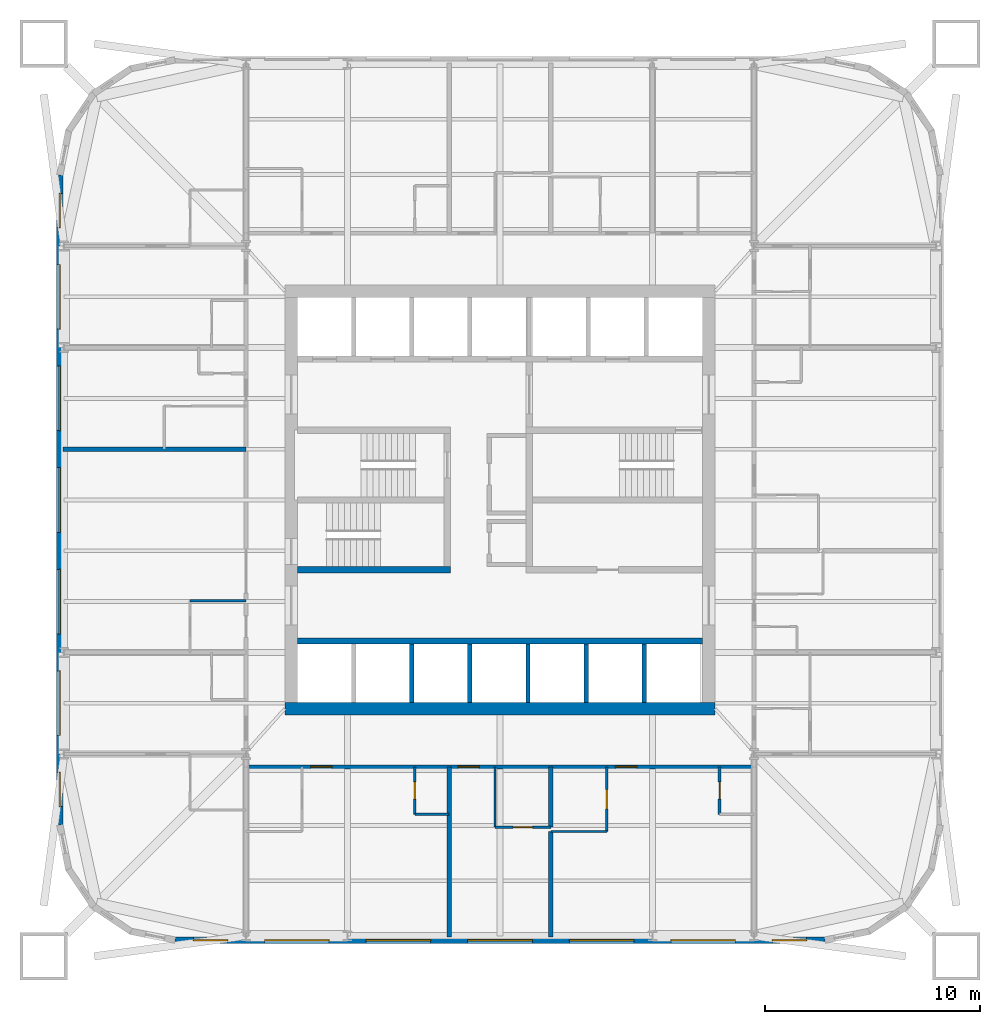
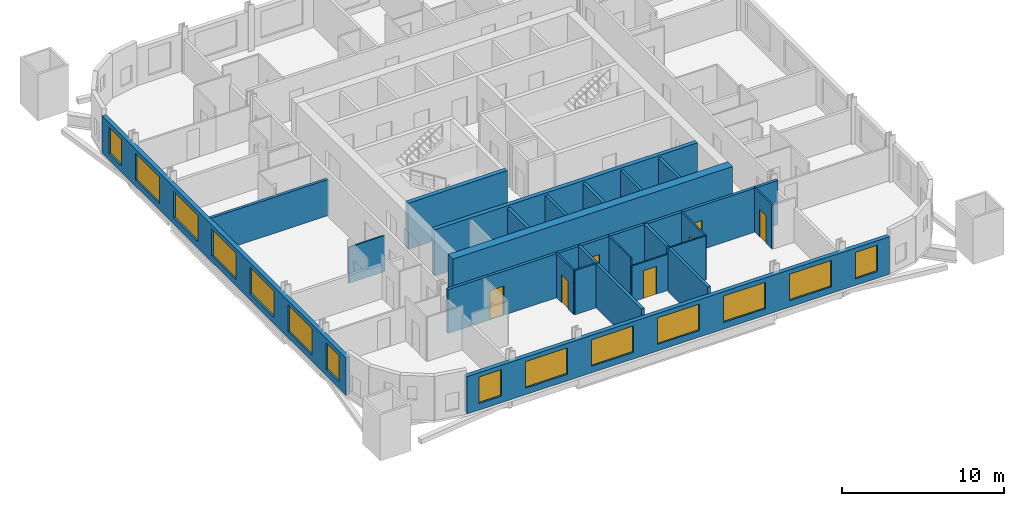
# One storey, part 3 of 9: 23 walls, 14 windows, 7 doors, 21 openings.
"""IFC4 building model written with IfcOpenShell, lengths in metres."""

import ifcopenshell
import ifcopenshell.guid

model = None  # the IFC model being written
_history = None  # IfcOwnerHistory: only IFC2X3 demands one
_inside = {}  # id of a spatial element -> (the spatial element, [elements in it])
_under = {}  # id of a project, library or spatial element -> (it, [spatial elements below it])
_declared = {}  # id of a project -> (the project, [libraries it declares])
_typed = {}  # id of a type object -> (the type object, [elements of that type])
_made_of = {}  # id of a material, layer set ... -> (it, [elements and type objects made of it])


def new_model(schema):
    """Start an empty IFC model of exactly this schema.

    Asked for "IFC4X3", IfcOpenShell would pick the latest addendum, in which some entities
    have other attributes; the version numbers below select the first issue.
    IFC2X3 requires an IfcOwnerHistory on every rooted entity: one is made here for all.
    """
    global model, _history
    if schema == "IFC4X3":
        model = ifcopenshell.file(schema_version=(4, 3, 0, 0))
    else:
        model = ifcopenshell.file(schema=schema)
    _inside.clear()
    _under.clear()
    _declared.clear()
    _typed.clear()
    _made_of.clear()
    _history = None
    if model.schema == "IFC2X3":
        org = make("IfcOrganization", Name="unknown")
        user = make(
            "IfcPersonAndOrganization",
            ThePerson=make("IfcPerson", FamilyName="unknown"),
            TheOrganization=org,
        )
        app = make(
            "IfcApplication",
            ApplicationDeveloper=org,
            Version="unknown",
            ApplicationFullName="unknown",
            ApplicationIdentifier="unknown",
        )
        _history = make(
            "IfcOwnerHistory",
            OwningUser=user,
            OwningApplication=app,
            ChangeAction="ADDED",
            CreationDate=0,
        )
    return model


def make(cls, **values):
    """One entity of the class cls with the attributes given. An attribute that is None is left unset."""
    return model.create_entity(
        cls, **{name: value for name, value in values.items() if value is not None}
    )


def rooted(cls, **values):
    """An entity with a GlobalId (a new one), such as an element, a storey or a relation."""
    return make(cls, GlobalId=ifcopenshell.guid.new(), OwnerHistory=_history, **values)


def si_unit(unit_type, name, prefix=None):
    """IfcSIUnit, for example si_unit("LENGTHUNIT", "METRE", prefix="MILLI")."""
    return make("IfcSIUnit", UnitType=unit_type, Prefix=prefix, Name=name)


def assignment(units):
    """IfcUnitAssignment: the units of a project."""
    return None if units is None else make("IfcUnitAssignment", Units=units)


def point(xyz):
    """IfcCartesianPoint."""
    return None if xyz is None else make("IfcCartesianPoint", Coordinates=xyz)


def direction(xyz):
    """IfcDirection."""
    return None if xyz is None else make("IfcDirection", DirectionRatios=xyz)


def frame(location, z_axis=None, x_axis=None):
    """IfcAxis2Placement3D, a coordinate frame: its origin and axes. An axis left out is left unset."""
    return make(
        "IfcAxis2Placement3D",
        Location=point(location),
        Axis=direction(z_axis),
        RefDirection=direction(x_axis),
    )


def frame_2d(location, x_axis=None):
    """IfcAxis2Placement2D, a coordinate frame in the plane: its origin and x axis."""
    return make(
        "IfcAxis2Placement2D", Location=point(location), RefDirection=direction(x_axis)
    )


def origin():
    """The frame at (0, 0, 0) with its axes left unset."""
    return frame((0.0, 0.0, 0.0))


def place(relative_to, where):
    """IfcLocalPlacement: puts the frame where relative to a parent placement (None: the world)."""
    return make(
        "IfcLocalPlacement", PlacementRelTo=relative_to, RelativePlacement=where
    )


def context(
    kind, dimensions, precision=None, world=None, true_north=None, identifier=None
):
    """IfcGeometricRepresentationContext, for example the 3D "Model" context."""
    return make(
        "IfcGeometricRepresentationContext",
        ContextIdentifier=identifier,
        ContextType=kind,
        CoordinateSpaceDimension=dimensions,
        Precision=precision,
        WorldCoordinateSystem=world,
        TrueNorth=true_north,
    )


def subcontext(parent, identifier, kind, view, scale=None):
    """IfcGeometricRepresentationSubContext, for example "Body" below "Model"."""
    return make(
        "IfcGeometricRepresentationSubContext",
        ContextIdentifier=identifier,
        ContextType=kind,
        ParentContext=parent,
        TargetScale=scale,
        TargetView=view,
    )


def project(units=None, contexts=None):
    """IfcProject with its units and contexts."""
    return rooted(
        "IfcProject",
        Name="project",
        RepresentationContexts=contexts,
        UnitsInContext=assignment(units),
    )


def spatial(cls, under=None, at=None, **own):
    """A site, building, storey or space (cls), placed at a placement, below another one or the project."""
    s = rooted(cls, ObjectPlacement=at, **own)
    if under is not None:
        _under.setdefault(under.id(), (under, []))[1].append(s)
    return s


def profile(cls, at=None, kind="AREA", **sizes):
    """A parametric profile (cls). Its sizes go by their IFC names, for example OverallWidth=200.0."""
    return make(cls, ProfileType=kind, Position=at, **sizes)


def rectangle(**sizes):
    """IfcRectangleProfileDef."""
    return profile("IfcRectangleProfileDef", **sizes)


def extrude(swept, where, along, depth):
    """IfcExtrudedAreaSolid: the profile swept, set in the frame where, extruded along a direction by depth."""
    return make(
        "IfcExtrudedAreaSolid",
        SweptArea=swept,
        Position=where,
        ExtrudedDirection=direction(along),
        Depth=depth,
    )


def shape(context_of_items, identifier, shape_type, items):
    """IfcShapeRepresentation: the items that make up one representation, for example the "Body"."""
    return make(
        "IfcShapeRepresentation",
        ContextOfItems=context_of_items,
        RepresentationIdentifier=identifier,
        RepresentationType=shape_type,
        Items=items,
    )


def material(Name=None, Category=None):
    """IfcMaterial."""
    return make("IfcMaterial", Name=Name, Category=Category)


def layer(
    of_material, thickness, ventilated=None, Name=None, Category=None, Priority=None
):
    """IfcMaterialLayer: one layer of a wall or slab, of a material (None: an air gap)."""
    return make(
        "IfcMaterialLayer",
        Material=of_material,
        LayerThickness=thickness,
        IsVentilated=ventilated,
        Name=Name,
        Category=Category,
        Priority=Priority,
    )


def layer_set(layers, Name=None):
    """IfcMaterialLayerSet."""
    return make("IfcMaterialLayerSet", MaterialLayers=layers, LayerSetName=Name)


def made_of(thing, what):
    """Note that an element or type object is made of a material, layer set ...; save() writes the relation."""
    if what is not None:
        _made_of.setdefault(what.id(), (what, []))[1].append(thing)
    return thing


def type_object(cls, material=None, **own):
    """A type object (cls), such as IfcWallType, which elements share."""
    return made_of(rooted(cls, **own), material)


def element(
    cls,
    number,
    at=None,
    inside=None,
    cuts=None,
    type_object=None,
    material=None,
    context=None,
    identifier="Body",
    shape_type=None,
    held_by="IfcProductDefinitionShape",
    body=None,
    shapes=None,
    **own,
):
    """One element of the class cls, such as IfcWall. Its Tag is "e" and its number.

    at: its placement. inside: the storey or other place that contains it. cuts: it is an
    opening in that element (IfcRelVoidsElement). A single representation is given by context,
    identifier, shape_type and body (its items); several are given by shapes. held_by: the class
    of the entity that holds the representations. save() writes the other relations.
    """
    e = rooted(cls, Tag="e%d" % number, ObjectPlacement=at, **own)
    if body is not None:
        shapes = [shape(context, identifier, shape_type, body)]
    if shapes is not None:
        e.Representation = make(held_by, Representations=shapes)
    if inside is not None:
        _inside.setdefault(inside.id(), (inside, []))[1].append(e)
    if cuts is not None:
        rooted(
            "IfcRelVoidsElement", RelatingBuildingElement=cuts, RelatedOpeningElement=e
        )
    if type_object is not None:
        _typed.setdefault(type_object.id(), (type_object, []))[1].append(e)
    return made_of(e, material)


def fill(opening, filler):
    """IfcRelFillsElement: the door or window that sits in an opening."""
    return rooted(
        "IfcRelFillsElement",
        RelatingOpeningElement=opening,
        RelatedBuildingElement=filler,
    )


def aggregate(whole, parts):
    """IfcRelAggregates: a whole, such as a stair, and the parts it consists of."""
    return rooted("IfcRelAggregates", RelatingObject=whole, RelatedObjects=parts)


def save(model, path):
    """Write the relations noted so far, then the file.

    IfcRelAggregates (storeys below a building ...), IfcRelContainedInSpatialStructure (elements
    in a storey), IfcRelDefinesByType, IfcRelAssociatesMaterial and IfcRelDeclares: one each for
    every whole, place, type object, material and project.
    """
    for whole, parts in _under.values():
        aggregate(whole, parts)
    for where, things in _inside.values():
        rooted(
            "IfcRelContainedInSpatialStructure",
            RelatedElements=things,
            RelatingStructure=where,
        )
    for kind, things in _typed.values():
        rooted("IfcRelDefinesByType", RelatedObjects=things, RelatingType=kind)
    for what, things in _made_of.values():
        rooted("IfcRelAssociatesMaterial", RelatedObjects=things, RelatingMaterial=what)
    for by, libraries in _declared.values():
        rooted("IfcRelDeclares", RelatingContext=by, RelatedDefinitions=libraries)
    model.write(path)


model = new_model("IFC4")

# Units and contexts
model_context = context("Model", 3, precision=1e-05, world=origin(), true_north=direction((0.0, 1.0)))
body_context = subcontext(model_context, "Body", "Model", "MODEL_VIEW")
ifc_project = project(units=[si_unit("LENGTHUNIT", "METRE"), si_unit("AREAUNIT", "SQUARE_METRE"), si_unit("VOLUMEUNIT", "CUBIC_METRE"), si_unit("PLANEANGLEUNIT", "RADIAN"), si_unit("MASSUNIT", "GRAM", prefix="KILO")], contexts=[model_context])

# Site, building, storey
site_placement = place(None, origin())
site = spatial("IfcSite", under=ifc_project, at=site_placement, CompositionType="ELEMENT")
building_placement = place(site_placement, origin())
building = spatial("IfcBuilding", under=site, at=building_placement, Name="Turquesa Mirador Hotel Tower", CompositionType="ELEMENT")
storey_placement = place(building_placement, frame((0.0, 0.0, 96.89990234375)))
storey = spatial("IfcBuildingStorey", under=building, at=storey_placement, Name="L25", CompositionType="ELEMENT", Elevation=96.89990234375)

# Wall, opening, door
ifc_material_1 = material(Name="Gypsum board on steel studs", Category="steel")
ifc_layer_1 = layer(ifc_material_1, 0.10009765625)
ifc_layer_set_1 = layer_set([ifc_layer_1], Name="BATHROOM WALL 100")
wall_type_1 = type_object("IfcWallType", Name="BATHROOM WALL 100", PredefinedType="PARTITIONING", material=ifc_layer_set_1)
wall_1_placement = place(storey_placement, frame((54.760009765625, 29.800048828125, 0.0), z_axis=(0.0, 0.0, 1.0), x_axis=(1.0, 0.0, 0.0)))
wall_1 = element("IfcWall", 1, at=wall_1_placement, inside=storey, type_object=wall_type_1, Name="Partition L25 008", PredefinedType="PARTITIONING", context=body_context, shape_type="SweptSolid", body=[
    extrude(rectangle(XDim=2.60009765625, YDim=0.10009765625, at=frame_2d((1.300048828125, 0.0))), origin(), (0.0, 0.0, 1.0), 2.730712890625),
])
opening_1_placement = place(wall_1_placement, frame((0.85009765625, 0.0, 0.0)))
opening_1 = element("IfcOpeningElement", 2, at=opening_1_placement, cuts=wall_1, Name="Opening D02", PredefinedType="OPENING", context=body_context, shape_type="SweptSolid", body=[
    extrude(rectangle(XDim=0.89990234375, YDim=2.10009765625, at=frame_2d((0.449951171875, 1.050048828125))), frame((0.0, 0.06005859375, 0.0), z_axis=(0.0, -1.0, 0.0), x_axis=(1.0, 0.0, 0.0)), (0.0, 0.0, 1.0), 0.1201171875),
])
ifc_material_2 = material(Name="Timber veneered door", Category="wood")
door_type_1 = type_object("IfcDoorType", Name="DOOR 900X2100 EN-SUITE", OperationType="SINGLE_SWING_RIGHT", PredefinedType="DOOR", material=ifc_material_2)
door_1_placement = place(opening_1_placement, origin())
door_1 = element("IfcDoor", 3, at=door_1_placement, inside=storey, type_object=door_type_1, Name="Door 2506B", OperationType="SINGLE_SWING_RIGHT", OverallHeight=2.10009765625, OverallWidth=0.89990234375, PredefinedType="DOOR", context=body_context, shape_type="SweptSolid", body=[
    extrude(rectangle(XDim=0.89990234375, YDim=2.10009765625, at=frame_2d((0.449951171875, 1.050048828125))), frame((0.0, 0.02490234375, 0.0), z_axis=(0.0, -1.0, 0.0), x_axis=(1.0, 0.0, 0.0)), (0.0, 0.0, 1.0), 0.050048828125),
])
fill(opening_1, door_1)

# Walls
wall_2_placement = place(storey_placement, frame((57.360107421875, 29.60009765625, 0.0), z_axis=(0.0, 0.0, 1.0), x_axis=(1.0, 0.0, 0.0)))
element("IfcWall", 4, at=wall_2_placement, inside=storey, type_object=wall_type_1, Name="Partition L25 010", PredefinedType="PARTITIONING", context=body_context, shape_type="SweptSolid", body=[
    extrude(rectangle(XDim=2.599853515625, YDim=0.10009765625, at=frame_2d((1.2998046875, 0.0))), origin(), (0.0, 0.0, 1.0), 3.330078125),
])
wall_3_placement = place(storey_placement, frame((40.60009765625, 40.320068359375, 0.0), z_axis=(0.0, 0.0, 1.0), x_axis=(1.0, 0.0, 0.0)))
element("IfcWall", 5, at=wall_3_placement, inside=storey, type_object=wall_type_1, Name="Partition L25 014", PredefinedType="PARTITIONING", context=body_context, shape_type="SweptSolid", body=[
    extrude(rectangle(XDim=2.599853515625, YDim=0.10009765625, at=frame_2d((1.2998046875, 0.0))), origin(), (0.0, 0.0, 1.0), 2.730712890625),
])
wall_4_placement = place(storey_placement, frame((54.760009765625, 29.800048828125, 0.0), z_axis=(0.0, 0.0, 1.0), x_axis=(0.0, 1.0, 0.0)))
element("IfcWall", 6, at=wall_4_placement, inside=storey, type_object=wall_type_1, Name="Partition L25 039", PredefinedType="PARTITIONING", context=body_context, shape_type="SweptSolid", body=[
    extrude(rectangle(XDim=2.800048828125, YDim=0.10009765625, at=frame_2d((1.39990234375, 0.0))), origin(), (0.0, 0.0, 1.0), 3.330078125),
])

# Wall, opening, door
wall_5_placement = place(storey_placement, frame((59.9599609375, 29.60009765625, 0.0), z_axis=(0.0, 0.0, 1.0), x_axis=(0.0, 1.0, 0.0)))
wall_5 = element("IfcWall", 7, at=wall_5_placement, inside=storey, type_object=wall_type_1, Name="Partition L25 074", PredefinedType="PARTITIONING", context=body_context, shape_type="SweptSolid", body=[
    extrude(rectangle(XDim=3.0, YDim=0.10009765625, at=frame_2d((1.5, 0.0))), origin(), (0.0, 0.0, 1.0), 3.330078125),
])
opening_2_placement = place(wall_5_placement, frame((1.050048828125, 0.0, 0.0)))
opening_2 = element("IfcOpeningElement", 8, at=opening_2_placement, cuts=wall_5, Name="Opening D02", PredefinedType="OPENING", context=body_context, shape_type="SweptSolid", body=[
    extrude(rectangle(XDim=0.89990234375, YDim=2.10009765625, at=frame_2d((0.449951171875, 1.050048828125))), frame((0.0, 0.06005859375, 0.0), z_axis=(0.0, -1.0, 0.0), x_axis=(1.0, 0.0, 0.0)), (0.0, 0.0, 1.0), 0.1201171875),
])
door_2_placement = place(opening_2_placement, origin())
door_2 = element("IfcDoor", 9, at=door_2_placement, inside=storey, type_object=door_type_1, Name="Door 2507B", OperationType="SINGLE_SWING_RIGHT", OverallHeight=2.10009765625, OverallWidth=0.89990234375, PredefinedType="DOOR", context=body_context, shape_type="SweptSolid", body=[
    extrude(rectangle(XDim=0.89990234375, YDim=2.10009765625, at=frame_2d((0.449951171875, 1.050048828125))), frame((0.0, 0.02490234375, 0.0), z_axis=(0.0, -1.0, 0.0), x_axis=(1.0, 0.0, 0.0)), (0.0, 0.0, 1.0), 0.050048828125),
])
fill(opening_2, door_2)

# Walls
ifc_material_3 = material(Name="Concrete C50/60", Category="concrete")
ifc_layer_2 = layer(ifc_material_3, 0.300048828125)
ifc_layer_set_2 = layer_set([ifc_layer_2], Name="CORE INNER WALL 300")
wall_type_2 = type_object("IfcWallType", Name="CORE INNER WALL 300", PredefinedType="SHEAR", material=ifc_layer_set_2)
wall_6_placement = place(storey_placement, frame((45.60009765625, 38.449951171875, 0.0), z_axis=(0.0, 0.0, 1.0), x_axis=(1.0, 0.0, 0.0)))
element("IfcWall", 10, at=wall_6_placement, inside=storey, type_object=wall_type_2, Name="Core wall SL", PredefinedType="SHEAR", context=body_context, shape_type="SweptSolid", body=[
    extrude(rectangle(XDim=18.7998046875, YDim=0.300048828125, at=frame_2d((9.39990234375, 0.0))), origin(), (0.0, 0.0, 1.0), 3.5),
])
wall_7_placement = place(storey_placement, frame((45.60009765625, 41.75, 0.0), z_axis=(0.0, 0.0, 1.0), x_axis=(1.0, 0.0, 0.0)))
element("IfcWall", 11, at=wall_7_placement, inside=storey, type_object=wall_type_2, Name="Core wall MS-W", PredefinedType="SHEAR", context=body_context, shape_type="SweptSolid", body=[
    extrude(rectangle(XDim=7.099853515625, YDim=0.300048828125, at=frame_2d((3.5498046875, 0.0))), origin(), (0.0, 0.0, 1.0), 3.5),
])
ifc_material_4 = material(Name="Concrete C50/60", Category="concrete")
ifc_layer_3 = layer(ifc_material_4, 0.60009765625)
ifc_layer_set_3 = layer_set([ifc_layer_3], Name="CORE WALL 600")
wall_type_3 = type_object("IfcWallType", Name="CORE WALL 600", PredefinedType="SHEAR", material=ifc_layer_set_3)
wall_8_placement = place(storey_placement, frame((45.0, 35.300048828125, 0.0), z_axis=(0.0, 0.0, 1.0), x_axis=(1.0, 0.0, 0.0)))
element("IfcWall", 12, at=wall_8_placement, inside=storey, type_object=wall_type_3, Name="Core wall S", PredefinedType="SHEAR", context=body_context, shape_type="SweptSolid", body=[
    extrude(rectangle(XDim=20.0, YDim=0.60009765625, at=frame_2d((10.0, 0.0))), origin(), (0.0, 0.0, 1.0), 3.5),
])

# Wall, openings, doors
ifc_material_5 = material(Name="Fire-rated gypsum board on steel studs", Category="steel")
ifc_layer_4 = layer(ifc_material_5, 0.199951171875)
ifc_layer_set_4 = layer_set([ifc_layer_4], Name="CORRIDOR WALL 200")
wall_type_4 = type_object("IfcWallType", Name="CORRIDOR WALL 200", PredefinedType="PARTITIONING", material=ifc_layer_set_4)
wall_9_placement = place(storey_placement, frame((43.199951171875, 32.60009765625, 0.0), z_axis=(0.0, 0.0, 1.0), x_axis=(1.0, 0.0, 0.0)))
wall_9 = element("IfcWall", 13, at=wall_9_placement, inside=storey, type_object=wall_type_4, Name="Partition L25 004", PredefinedType="PARTITIONING", context=body_context, shape_type="SweptSolid", body=[
    extrude(rectangle(XDim=23.60009765625, YDim=0.199951171875, at=frame_2d((11.800048828125, 0.0))), origin(), (0.0, 0.0, 1.0), 3.330078125),
])
opening_3_placement = place(wall_9_placement, frame((3.0, 0.0, 0.0)))
opening_3 = element("IfcOpeningElement", 14, at=opening_3_placement, cuts=wall_9, Name="Opening D01", PredefinedType="OPENING", context=body_context, shape_type="SweptSolid", body=[
    extrude(rectangle(XDim=1.0, YDim=2.199951171875, at=frame_2d((0.5, 1.10009765625))), frame((0.0, 0.10986328125, 0.0), z_axis=(0.0, -1.0, 0.0), x_axis=(1.0, 0.0, 0.0)), (0.0, 0.0, 1.0), 0.219970703125),
])
opening_4_placement = place(wall_9_placement, frame((9.840087890625, 0.0, 0.0)))
opening_4 = element("IfcOpeningElement", 15, at=opening_4_placement, cuts=wall_9, Name="Opening D01", PredefinedType="OPENING", context=body_context, shape_type="SweptSolid", body=[
    extrude(rectangle(XDim=1.0, YDim=2.199951171875, at=frame_2d((0.5, 1.10009765625))), frame((0.0, 0.10986328125, 0.0), z_axis=(0.0, -1.0, 0.0), x_axis=(1.0, 0.0, 0.0)), (0.0, 0.0, 1.0), 0.219970703125),
])
opening_5_placement = place(wall_9_placement, frame((17.159912109375, 0.0, 0.0)))
opening_5 = element("IfcOpeningElement", 16, at=opening_5_placement, cuts=wall_9, Name="Opening D01", PredefinedType="OPENING", context=body_context, shape_type="SweptSolid", body=[
    extrude(rectangle(XDim=1.0, YDim=2.199951171875, at=frame_2d((0.5, 1.10009765625))), frame((0.0, 0.10986328125, 0.0), z_axis=(0.0, -1.0, 0.0), x_axis=(1.0, 0.0, 0.0)), (0.0, 0.0, 1.0), 0.219970703125),
])
ifc_material_6 = material(Name="Timber veneered fire door", Category="wood")
door_type_2 = type_object("IfcDoorType", Name="DOOR 1000X2200 GUEST ENTRY", OperationType="SINGLE_SWING_LEFT", PredefinedType="DOOR", material=ifc_material_6)
door_3_placement = place(opening_3_placement, origin())
door_3 = element("IfcDoor", 17, at=door_3_placement, inside=storey, type_object=door_type_2, Name="Door 2505", OperationType="SINGLE_SWING_LEFT", OverallHeight=2.199951171875, OverallWidth=1.0, PredefinedType="DOOR", context=body_context, shape_type="SweptSolid", body=[
    extrude(rectangle(XDim=1.0, YDim=2.199951171875, at=frame_2d((0.5, 1.10009765625))), frame((0.0, 0.02490234375, 0.0), z_axis=(0.0, -1.0, 0.0), x_axis=(1.0, 0.0, 0.0)), (0.0, 0.0, 1.0), 0.050048828125),
])
fill(opening_3, door_3)
door_4_placement = place(opening_4_placement, origin())
door_4 = element("IfcDoor", 18, at=door_4_placement, inside=storey, type_object=door_type_2, Name="Door 2506", OperationType="SINGLE_SWING_LEFT", OverallHeight=2.199951171875, OverallWidth=1.0, PredefinedType="DOOR", context=body_context, shape_type="SweptSolid", body=[
    extrude(rectangle(XDim=1.0, YDim=2.199951171875, at=frame_2d((0.5, 1.10009765625))), frame((0.0, 0.02490234375, 0.0), z_axis=(0.0, -1.0, 0.0), x_axis=(1.0, 0.0, 0.0)), (0.0, 0.0, 1.0), 0.050048828125),
])
fill(opening_4, door_4)
door_5_placement = place(opening_5_placement, origin())
door_5 = element("IfcDoor", 19, at=door_5_placement, inside=storey, type_object=door_type_2, Name="Door 2507", OperationType="SINGLE_SWING_LEFT", OverallHeight=2.199951171875, OverallWidth=1.0, PredefinedType="DOOR", context=body_context, shape_type="SweptSolid", body=[
    extrude(rectangle(XDim=1.0, YDim=2.199951171875, at=frame_2d((0.5, 1.10009765625))), frame((0.0, 0.02490234375, 0.0), z_axis=(0.0, -1.0, 0.0), x_axis=(1.0, 0.0, 0.0)), (0.0, 0.0, 1.0), 0.050048828125),
])
fill(opening_5, door_5)

# Wall, openings, windows
ifc_material_7 = material(Name="Limestone cladding on concrete block", Category="masonry")
ifc_layer_5 = layer(ifc_material_7, 0.300048828125)
ifc_layer_set_5 = layer_set([ifc_layer_5], Name="FACADE WALL 300 STONE SCREEN")
wall_type_5 = type_object("IfcWallType", Name="FACADE WALL 300 STONE SCREEN", PredefinedType="SOLIDWALL", material=ifc_layer_set_5)
wall_10_placement = place(storey_placement, frame((34.550048828125, 60.10009765625, 0.0), z_axis=(0.0, 0.0, 1.0), x_axis=(0.0, -1.0, 0.0)))
wall_10 = element("IfcWall", 20, at=wall_10_placement, inside=storey, type_object=wall_type_5, Name="Facade wall L25 14", PredefinedType="SOLIDWALL", context=body_context, shape_type="SweptSolid", body=[
    extrude(rectangle(XDim=30.2001953125, YDim=0.300048828125, at=frame_2d((15.10009765625, 0.0))), origin(), (0.0, 0.0, 1.0), 2.830078125),
])
opening_6_placement = place(wall_10_placement, frame((0.85009765625, 0.0, 0.5)))
opening_6 = element("IfcOpeningElement", 21, at=opening_6_placement, cuts=wall_10, Name="Opening WN3", PredefinedType="OPENING", context=body_context, shape_type="SweptSolid", body=[
    extrude(rectangle(XDim=1.60009765625, YDim=2.0, at=frame_2d((0.800048828125, 1.0))), frame((0.0, 0.159912109375, 0.0), z_axis=(0.0, -1.0, 0.0), x_axis=(1.0, 0.0, 0.0)), (0.0, 0.0, 1.0), 0.320068359375),
])
opening_7_placement = place(wall_10_placement, frame((4.159912109375, 0.0, 0.5)))
opening_7 = element("IfcOpeningElement", 22, at=opening_7_placement, cuts=wall_10, Name="Opening WN1", PredefinedType="OPENING", context=body_context, shape_type="SweptSolid", body=[
    extrude(rectangle(XDim=3.0, YDim=2.0, at=frame_2d((1.5, 1.0))), frame((0.0, 0.159912109375, 0.0), z_axis=(0.0, -1.0, 0.0), x_axis=(1.0, 0.0, 0.0)), (0.0, 0.0, 1.0), 0.320068359375),
])
opening_8_placement = place(wall_10_placement, frame((8.8798828125, 0.0, 0.5)))
opening_8 = element("IfcOpeningElement", 23, at=opening_8_placement, cuts=wall_10, Name="Opening WN1", PredefinedType="OPENING", context=body_context, shape_type="SweptSolid", body=[
    extrude(rectangle(XDim=3.0, YDim=2.0, at=frame_2d((1.5, 1.0))), frame((0.0, 0.159912109375, 0.0), z_axis=(0.0, -1.0, 0.0), x_axis=(1.0, 0.0, 0.0)), (0.0, 0.0, 1.0), 0.320068359375),
])
opening_9_placement = place(wall_10_placement, frame((13.60009765625, 0.0, 0.5)))
opening_9 = element("IfcOpeningElement", 24, at=opening_9_placement, cuts=wall_10, Name="Opening WN1", PredefinedType="OPENING", context=body_context, shape_type="SweptSolid", body=[
    extrude(rectangle(XDim=3.0, YDim=2.0, at=frame_2d((1.5, 1.0))), frame((0.0, 0.159912109375, 0.0), z_axis=(0.0, -1.0, 0.0), x_axis=(1.0, 0.0, 0.0)), (0.0, 0.0, 1.0), 0.320068359375),
])
opening_10_placement = place(wall_10_placement, frame((18.320068359375, 0.0, 0.5)))
opening_10 = element("IfcOpeningElement", 25, at=opening_10_placement, cuts=wall_10, Name="Opening WN1", PredefinedType="OPENING", context=body_context, shape_type="SweptSolid", body=[
    extrude(rectangle(XDim=3.0, YDim=2.0, at=frame_2d((1.5, 1.0))), frame((0.0, 0.159912109375, 0.0), z_axis=(0.0, -1.0, 0.0), x_axis=(1.0, 0.0, 0.0)), (0.0, 0.0, 1.0), 0.320068359375),
])
opening_11_placement = place(wall_10_placement, frame((23.0400390625, 0.0, 0.5)))
opening_11 = element("IfcOpeningElement", 26, at=opening_11_placement, cuts=wall_10, Name="Opening WN1", PredefinedType="OPENING", context=body_context, shape_type="SweptSolid", body=[
    extrude(rectangle(XDim=3.0, YDim=2.0, at=frame_2d((1.5, 1.0))), frame((0.0, 0.159912109375, 0.0), z_axis=(0.0, -1.0, 0.0), x_axis=(1.0, 0.0, 0.0)), (0.0, 0.0, 1.0), 0.320068359375),
])
opening_12_placement = place(wall_10_placement, frame((27.75, 0.0, 0.5)))
opening_12 = element("IfcOpeningElement", 27, at=opening_12_placement, cuts=wall_10, Name="Opening WN3", PredefinedType="OPENING", context=body_context, shape_type="SweptSolid", body=[
    extrude(rectangle(XDim=1.60009765625, YDim=2.0, at=frame_2d((0.800048828125, 1.0))), frame((0.0, 0.159912109375, 0.0), z_axis=(0.0, -1.0, 0.0), x_axis=(1.0, 0.0, 0.0)), (0.0, 0.0, 1.0), 0.320068359375),
])
ifc_material_8 = material(Name="Ceramic-fritted laminated glass", Category="glass")
window_type_1 = type_object("IfcWindowType", Name="FRITTED WINDOW 1600X2000", PartitioningType="DOUBLE_PANEL_HORIZONTAL", PredefinedType="WINDOW", material=ifc_material_8)
window_1_placement = place(opening_6_placement, origin())
window_1 = element("IfcWindow", 28, at=window_1_placement, inside=storey, type_object=window_type_1, Name="Window L25", OverallHeight=2.0, OverallWidth=1.60009765625, PartitioningType="SINGLE_PANEL", PredefinedType="WINDOW", context=body_context, shape_type="SweptSolid", body=[
    extrude(rectangle(XDim=1.60009765625, YDim=2.0, at=frame_2d((0.800048828125, 1.0))), frame((0.0, 0.030029296875, 0.0), z_axis=(0.0, -1.0, 0.0), x_axis=(1.0, 0.0, 0.0)), (0.0, 0.0, 1.0), 0.06005859375),
])
fill(opening_6, window_1)
window_2_placement = place(opening_12_placement, origin())
window_2 = element("IfcWindow", 29, at=window_2_placement, inside=storey, type_object=window_type_1, Name="Window L25", OverallHeight=2.0, OverallWidth=1.60009765625, PartitioningType="SINGLE_PANEL", PredefinedType="WINDOW", context=body_context, shape_type="SweptSolid", body=[
    extrude(rectangle(XDim=1.60009765625, YDim=2.0, at=frame_2d((0.800048828125, 1.0))), frame((0.0, 0.030029296875, 0.0), z_axis=(0.0, -1.0, 0.0), x_axis=(1.0, 0.0, 0.0)), (0.0, 0.0, 1.0), 0.06005859375),
])
fill(opening_12, window_2)
ifc_material_9 = material(Name="Ceramic-fritted laminated glass", Category="glass")
window_type_2 = type_object("IfcWindowType", Name="FRITTED WINDOW 3000X2000", PartitioningType="DOUBLE_PANEL_HORIZONTAL", PredefinedType="WINDOW", material=ifc_material_9)
window_3_placement = place(opening_7_placement, origin())
window_3 = element("IfcWindow", 30, at=window_3_placement, inside=storey, type_object=window_type_2, Name="Window L25", OverallHeight=2.0, OverallWidth=3.0, PartitioningType="SINGLE_PANEL", PredefinedType="WINDOW", context=body_context, shape_type="SweptSolid", body=[
    extrude(rectangle(XDim=3.0, YDim=2.0, at=frame_2d((1.5, 1.0))), frame((0.0, 0.030029296875, 0.0), z_axis=(0.0, -1.0, 0.0), x_axis=(1.0, 0.0, 0.0)), (0.0, 0.0, 1.0), 0.06005859375),
])
fill(opening_7, window_3)
window_4_placement = place(opening_8_placement, origin())
window_4 = element("IfcWindow", 31, at=window_4_placement, inside=storey, type_object=window_type_2, Name="Window L25", OverallHeight=2.0, OverallWidth=3.0, PartitioningType="SINGLE_PANEL", PredefinedType="WINDOW", context=body_context, shape_type="SweptSolid", body=[
    extrude(rectangle(XDim=3.0, YDim=2.0, at=frame_2d((1.5, 1.0))), frame((0.0, 0.030029296875, 0.0), z_axis=(0.0, -1.0, 0.0), x_axis=(1.0, 0.0, 0.0)), (0.0, 0.0, 1.0), 0.06005859375),
])
fill(opening_8, window_4)
window_5_placement = place(opening_9_placement, origin())
window_5 = element("IfcWindow", 32, at=window_5_placement, inside=storey, type_object=window_type_2, Name="Window L25", OverallHeight=2.0, OverallWidth=3.0, PartitioningType="SINGLE_PANEL", PredefinedType="WINDOW", context=body_context, shape_type="SweptSolid", body=[
    extrude(rectangle(XDim=3.0, YDim=2.0, at=frame_2d((1.5, 1.0))), frame((0.0, 0.030029296875, 0.0), z_axis=(0.0, -1.0, 0.0), x_axis=(1.0, 0.0, 0.0)), (0.0, 0.0, 1.0), 0.06005859375),
])
fill(opening_9, window_5)
window_6_placement = place(opening_10_placement, origin())
window_6 = element("IfcWindow", 33, at=window_6_placement, inside=storey, type_object=window_type_2, Name="Window L25", OverallHeight=2.0, OverallWidth=3.0, PartitioningType="SINGLE_PANEL", PredefinedType="WINDOW", context=body_context, shape_type="SweptSolid", body=[
    extrude(rectangle(XDim=3.0, YDim=2.0, at=frame_2d((1.5, 1.0))), frame((0.0, 0.030029296875, 0.0), z_axis=(0.0, -1.0, 0.0), x_axis=(1.0, 0.0, 0.0)), (0.0, 0.0, 1.0), 0.06005859375),
])
fill(opening_10, window_6)
window_7_placement = place(opening_11_placement, origin())
window_7 = element("IfcWindow", 34, at=window_7_placement, inside=storey, type_object=window_type_2, Name="Window L25", OverallHeight=2.0, OverallWidth=3.0, PartitioningType="SINGLE_PANEL", PredefinedType="WINDOW", context=body_context, shape_type="SweptSolid", body=[
    extrude(rectangle(XDim=3.0, YDim=2.0, at=frame_2d((1.5, 1.0))), frame((0.0, 0.030029296875, 0.0), z_axis=(0.0, -1.0, 0.0), x_axis=(1.0, 0.0, 0.0)), (0.0, 0.0, 1.0), 0.06005859375),
])
fill(opening_11, window_7)

wall_11_placement = place(storey_placement, frame((39.89990234375, 24.550048828125, 0.0), z_axis=(0.0, 0.0, 1.0), x_axis=(1.0, 0.0, 0.0)))
wall_11 = element("IfcWall", 35, at=wall_11_placement, inside=storey, type_object=wall_type_5, Name="Facade wall L25 19", PredefinedType="SOLIDWALL", context=body_context, shape_type="SweptSolid", body=[
    extrude(rectangle(XDim=30.2001953125, YDim=0.300048828125, at=frame_2d((15.10009765625, 0.0))), origin(), (0.0, 0.0, 1.0), 2.830078125),
])
opening_13_placement = place(wall_11_placement, frame((0.85009765625, 0.0, 0.5)))
opening_13 = element("IfcOpeningElement", 36, at=opening_13_placement, cuts=wall_11, Name="Opening WN3", PredefinedType="OPENING", context=body_context, shape_type="SweptSolid", body=[
    extrude(rectangle(XDim=1.60009765625, YDim=2.0, at=frame_2d((0.800048828125, 1.0))), frame((0.0, 0.159912109375, 0.0), z_axis=(0.0, -1.0, 0.0), x_axis=(1.0, 0.0, 0.0)), (0.0, 0.0, 1.0), 0.320068359375),
])
opening_14_placement = place(wall_11_placement, frame((4.159912109375, 0.0, 0.5)))
opening_14 = element("IfcOpeningElement", 37, at=opening_14_placement, cuts=wall_11, Name="Opening WN1", PredefinedType="OPENING", context=body_context, shape_type="SweptSolid", body=[
    extrude(rectangle(XDim=3.0, YDim=2.0, at=frame_2d((1.5, 1.0))), frame((0.0, 0.159912109375, 0.0), z_axis=(0.0, -1.0, 0.0), x_axis=(1.0, 0.0, 0.0)), (0.0, 0.0, 1.0), 0.320068359375),
])
opening_15_placement = place(wall_11_placement, frame((8.8798828125, 0.0, 0.5)))
opening_15 = element("IfcOpeningElement", 38, at=opening_15_placement, cuts=wall_11, Name="Opening WN1", PredefinedType="OPENING", context=body_context, shape_type="SweptSolid", body=[
    extrude(rectangle(XDim=3.0, YDim=2.0, at=frame_2d((1.5, 1.0))), frame((0.0, 0.159912109375, 0.0), z_axis=(0.0, -1.0, 0.0), x_axis=(1.0, 0.0, 0.0)), (0.0, 0.0, 1.0), 0.320068359375),
])
opening_16_placement = place(wall_11_placement, frame((13.60009765625, 0.0, 0.5)))
opening_16 = element("IfcOpeningElement", 39, at=opening_16_placement, cuts=wall_11, Name="Opening WN1", PredefinedType="OPENING", context=body_context, shape_type="SweptSolid", body=[
    extrude(rectangle(XDim=3.0, YDim=2.0, at=frame_2d((1.5, 1.0))), frame((0.0, 0.159912109375, 0.0), z_axis=(0.0, -1.0, 0.0), x_axis=(1.0, 0.0, 0.0)), (0.0, 0.0, 1.0), 0.320068359375),
])
opening_17_placement = place(wall_11_placement, frame((18.320068359375, 0.0, 0.5)))
opening_17 = element("IfcOpeningElement", 40, at=opening_17_placement, cuts=wall_11, Name="Opening WN1", PredefinedType="OPENING", context=body_context, shape_type="SweptSolid", body=[
    extrude(rectangle(XDim=3.0, YDim=2.0, at=frame_2d((1.5, 1.0))), frame((0.0, 0.159912109375, 0.0), z_axis=(0.0, -1.0, 0.0), x_axis=(1.0, 0.0, 0.0)), (0.0, 0.0, 1.0), 0.320068359375),
])
opening_18_placement = place(wall_11_placement, frame((23.0400390625, 0.0, 0.5)))
opening_18 = element("IfcOpeningElement", 41, at=opening_18_placement, cuts=wall_11, Name="Opening WN1", PredefinedType="OPENING", context=body_context, shape_type="SweptSolid", body=[
    extrude(rectangle(XDim=3.0, YDim=2.0, at=frame_2d((1.5, 1.0))), frame((0.0, 0.159912109375, 0.0), z_axis=(0.0, -1.0, 0.0), x_axis=(1.0, 0.0, 0.0)), (0.0, 0.0, 1.0), 0.320068359375),
])
opening_19_placement = place(wall_11_placement, frame((27.75, 0.0, 0.5)))
opening_19 = element("IfcOpeningElement", 42, at=opening_19_placement, cuts=wall_11, Name="Opening WN3", PredefinedType="OPENING", context=body_context, shape_type="SweptSolid", body=[
    extrude(rectangle(XDim=1.60009765625, YDim=2.0, at=frame_2d((0.800048828125, 1.0))), frame((0.0, 0.159912109375, 0.0), z_axis=(0.0, -1.0, 0.0), x_axis=(1.0, 0.0, 0.0)), (0.0, 0.0, 1.0), 0.320068359375),
])
window_8_placement = place(opening_13_placement, origin())
window_8 = element("IfcWindow", 43, at=window_8_placement, inside=storey, type_object=window_type_1, Name="Window L25", OverallHeight=2.0, OverallWidth=1.60009765625, PartitioningType="SINGLE_PANEL", PredefinedType="WINDOW", context=body_context, shape_type="SweptSolid", body=[
    extrude(rectangle(XDim=1.60009765625, YDim=2.0, at=frame_2d((0.800048828125, 1.0))), frame((0.0, 0.030029296875, 0.0), z_axis=(0.0, -1.0, 0.0), x_axis=(1.0, 0.0, 0.0)), (0.0, 0.0, 1.0), 0.06005859375),
])
fill(opening_13, window_8)
window_9_placement = place(opening_19_placement, origin())
window_9 = element("IfcWindow", 44, at=window_9_placement, inside=storey, type_object=window_type_1, Name="Window L25", OverallHeight=2.0, OverallWidth=1.60009765625, PartitioningType="SINGLE_PANEL", PredefinedType="WINDOW", context=body_context, shape_type="SweptSolid", body=[
    extrude(rectangle(XDim=1.60009765625, YDim=2.0, at=frame_2d((0.800048828125, 1.0))), frame((0.0, 0.030029296875, 0.0), z_axis=(0.0, -1.0, 0.0), x_axis=(1.0, 0.0, 0.0)), (0.0, 0.0, 1.0), 0.06005859375),
])
fill(opening_19, window_9)
window_10_placement = place(opening_14_placement, origin())
window_10 = element("IfcWindow", 45, at=window_10_placement, inside=storey, type_object=window_type_2, Name="Window L25", OverallHeight=2.0, OverallWidth=3.0, PartitioningType="SINGLE_PANEL", PredefinedType="WINDOW", context=body_context, shape_type="SweptSolid", body=[
    extrude(rectangle(XDim=3.0, YDim=2.0, at=frame_2d((1.5, 1.0))), frame((0.0, 0.030029296875, 0.0), z_axis=(0.0, -1.0, 0.0), x_axis=(1.0, 0.0, 0.0)), (0.0, 0.0, 1.0), 0.06005859375),
])
fill(opening_14, window_10)
window_11_placement = place(opening_15_placement, origin())
window_11 = element("IfcWindow", 46, at=window_11_placement, inside=storey, type_object=window_type_2, Name="Window L25", OverallHeight=2.0, OverallWidth=3.0, PartitioningType="SINGLE_PANEL", PredefinedType="WINDOW", context=body_context, shape_type="SweptSolid", body=[
    extrude(rectangle(XDim=3.0, YDim=2.0, at=frame_2d((1.5, 1.0))), frame((0.0, 0.030029296875, 0.0), z_axis=(0.0, -1.0, 0.0), x_axis=(1.0, 0.0, 0.0)), (0.0, 0.0, 1.0), 0.06005859375),
])
fill(opening_15, window_11)
window_12_placement = place(opening_16_placement, origin())
window_12 = element("IfcWindow", 47, at=window_12_placement, inside=storey, type_object=window_type_2, Name="Window L25", OverallHeight=2.0, OverallWidth=3.0, PartitioningType="SINGLE_PANEL", PredefinedType="WINDOW", context=body_context, shape_type="SweptSolid", body=[
    extrude(rectangle(XDim=3.0, YDim=2.0, at=frame_2d((1.5, 1.0))), frame((0.0, 0.030029296875, 0.0), z_axis=(0.0, -1.0, 0.0), x_axis=(1.0, 0.0, 0.0)), (0.0, 0.0, 1.0), 0.06005859375),
])
fill(opening_16, window_12)
window_13_placement = place(opening_17_placement, origin())
window_13 = element("IfcWindow", 48, at=window_13_placement, inside=storey, type_object=window_type_2, Name="Window L25", OverallHeight=2.0, OverallWidth=3.0, PartitioningType="SINGLE_PANEL", PredefinedType="WINDOW", context=body_context, shape_type="SweptSolid", body=[
    extrude(rectangle(XDim=3.0, YDim=2.0, at=frame_2d((1.5, 1.0))), frame((0.0, 0.030029296875, 0.0), z_axis=(0.0, -1.0, 0.0), x_axis=(1.0, 0.0, 0.0)), (0.0, 0.0, 1.0), 0.06005859375),
])
fill(opening_17, window_13)
window_14_placement = place(opening_18_placement, origin())
window_14 = element("IfcWindow", 49, at=window_14_placement, inside=storey, type_object=window_type_2, Name="Window L25", OverallHeight=2.0, OverallWidth=3.0, PartitioningType="SINGLE_PANEL", PredefinedType="WINDOW", context=body_context, shape_type="SweptSolid", body=[
    extrude(rectangle(XDim=3.0, YDim=2.0, at=frame_2d((1.5, 1.0))), frame((0.0, 0.030029296875, 0.0), z_axis=(0.0, -1.0, 0.0), x_axis=(1.0, 0.0, 0.0)), (0.0, 0.0, 1.0), 0.06005859375),
])
fill(opening_18, window_14)

# Walls
ifc_material_10 = material(Name="Fire-rated gypsum shaft wall on steel studs", Category="steel")
ifc_layer_6 = layer(ifc_material_10, 0.199951171875)
ifc_layer_set_6 = layer_set([ifc_layer_6], Name="LIFT SHAFT DIVIDER 200")
wall_type_6 = type_object("IfcWallType", Name="LIFT SHAFT DIVIDER 200", PredefinedType="PARTITIONING", material=ifc_layer_set_6)
for number, where, z_axis, x_axis, name in (
    (50, (50.89990234375, 35.60009765625, 0.0), (0.0, 0.0, 1.0), (0.0, 1.0, 0.0), "Lift shaft divider"),
    (51, (53.60009765625, 35.60009765625, 0.0), (0.0, 0.0, 1.0), (0.0, 1.0, 0.0), "Lift shaft divider"),
    (52, (56.300048828125, 35.60009765625, 0.0), (0.0, 0.0, 1.0), (0.0, 1.0, 0.0), "Lift shaft divider"),
    (53, (59.0, 35.60009765625, 0.0), (0.0, 0.0, 1.0), (0.0, 1.0, 0.0), "Lift shaft divider"),
    (54, (61.699951171875, 35.60009765625, 0.0), (0.0, 0.0, 1.0), (0.0, 1.0, 0.0), "Lift shaft divider"),
):
    element("IfcWall", number, at=place(storey_placement, frame(where, z_axis=z_axis, x_axis=x_axis)), inside=storey, type_object=wall_type_6, Name=name, PredefinedType="PARTITIONING", context=body_context, shape_type="SweptSolid", body=[
        extrude(rectangle(XDim=2.699951171875, YDim=0.199951171875, at=frame_2d((1.35009765625, 0.0))), origin(), (0.0, 0.0, 1.0), 3.330078125),
    ])
ifc_material_11 = material(Name="Fire-rated gypsum board on steel studs", Category="steel")
ifc_layer_7 = layer(ifc_material_11, 0.199951171875)
ifc_layer_set_7 = layer_set([ifc_layer_7], Name="PARTY WALL 200")
wall_type_7 = type_object("IfcWallType", Name="PARTY WALL 200", PredefinedType="PARTITIONING", material=ifc_layer_set_7)
wall_12_placement = place(storey_placement, frame((34.699951171875, 47.360107421875, 0.0), z_axis=(0.0, 0.0, 1.0), x_axis=(1.0, 0.0, 0.0)))
element("IfcWall", 55, at=wall_12_placement, inside=storey, type_object=wall_type_7, Name="Partition L25 031", PredefinedType="PARTITIONING", context=body_context, shape_type="SweptSolid", body=[
    extrude(rectangle(XDim=8.5, YDim=0.199951171875, at=frame_2d((4.25, 0.0))), origin(), (0.0, 0.0, 1.0), 2.730712890625),
])
wall_13_placement = place(storey_placement, frame((52.639892578125, 24.699951171875, 0.0), z_axis=(0.0, 0.0, 1.0), x_axis=(0.0, 1.0, 0.0)))
element("IfcWall", 56, at=wall_13_placement, inside=storey, type_object=wall_type_7, Name="Partition L25 051", PredefinedType="PARTITIONING", context=body_context, shape_type="SweptSolid", body=[
    extrude(rectangle(XDim=7.900146484375, YDim=0.199951171875, at=frame_2d((3.9501953125, 0.0))), origin(), (0.0, 0.0, 1.0), 3.330078125),
])
wall_14_placement = place(storey_placement, frame((57.360107421875, 24.699951171875, 0.0), z_axis=(0.0, 0.0, 1.0), x_axis=(0.0, 1.0, 0.0)))
element("IfcWall", 57, at=wall_14_placement, inside=storey, type_object=wall_type_7, Name="Partition L25 069", PredefinedType="PARTITIONING", context=body_context, shape_type="SweptSolid", body=[
    extrude(rectangle(XDim=4.900146484375, YDim=0.199951171875, at=frame_2d((2.4501953125, 0.0))), origin(), (0.0, 0.0, 1.0), 3.330078125),
])
wall_15_placement = place(storey_placement, frame((57.360107421875, 29.800048828125, 0.0), z_axis=(0.0, 0.0, 1.0), x_axis=(0.0, 1.0, 0.0)))
element("IfcWall", 58, at=wall_15_placement, inside=storey, type_object=wall_type_7, Name="Partition L25 070", PredefinedType="PARTITIONING", context=body_context, shape_type="SweptSolid", body=[
    extrude(rectangle(XDim=2.800048828125, YDim=0.199951171875, at=frame_2d((1.39990234375, 0.0))), origin(), (0.0, 0.0, 1.0), 3.330078125),
])
ifc_material_12 = material(Name="Acoustic gypsum board on steel studs", Category="steel")
ifc_layer_8 = layer(ifc_material_12, 0.125)
ifc_layer_set_8 = layer_set([ifc_layer_8], Name="SUITE PARTITION 125")
wall_type_8 = type_object("IfcWallType", Name="SUITE PARTITION 125", PredefinedType="PARTITIONING", material=ifc_layer_set_8)
wall_16_placement = place(storey_placement, frame((51.0400390625, 30.39990234375, 0.0), z_axis=(0.0, 0.0, 1.0), x_axis=(1.0, 0.0, 0.0)))
element("IfcWall", 59, at=wall_16_placement, inside=storey, type_object=wall_type_8, Name="Partition L25 006", PredefinedType="PARTITIONING", context=body_context, shape_type="SweptSolid", body=[
    extrude(rectangle(XDim=1.599853515625, YDim=0.125, at=frame_2d((0.7998046875, 0.0))), origin(), (0.0, 0.0, 1.0), 3.330078125),
])

# Wall, opening, door
wall_17_placement = place(storey_placement, frame((51.0400390625, 30.39990234375, 0.0), z_axis=(0.0, 0.0, 1.0), x_axis=(0.0, 1.0, 0.0)))
wall_17 = element("IfcWall", 60, at=wall_17_placement, inside=storey, type_object=wall_type_8, Name="Partition L25 053", PredefinedType="PARTITIONING", context=body_context, shape_type="SweptSolid", body=[
    extrude(rectangle(XDim=2.2001953125, YDim=0.125, at=frame_2d((1.10009765625, 0.0))), origin(), (0.0, 0.0, 1.0), 3.330078125),
])
opening_20_placement = place(wall_17_placement, frame((0.699951171875, 0.0, 0.0)))
opening_20 = element("IfcOpeningElement", 61, at=opening_20_placement, cuts=wall_17, Name="Opening D20", PredefinedType="OPENING", context=body_context, shape_type="SweptSolid", body=[
    extrude(rectangle(XDim=0.800048828125, YDim=2.10009765625, at=frame_2d((0.39990234375, 1.050048828125))), frame((0.0, 0.072509765625, 0.0), z_axis=(0.0, -1.0, 0.0), x_axis=(1.0, 0.0, 0.0)), (0.0, 0.0, 1.0), 0.14501953125),
])
ifc_material_13 = material(Name="Timber veneered sliding door", Category="wood")
door_type_3 = type_object("IfcDoorType", Name="DOOR 800X2100 WARDROBE", OperationType="SLIDING_TO_LEFT", PredefinedType="DOOR", material=ifc_material_13)
door_6_placement = place(opening_20_placement, origin())
door_6 = element("IfcDoor", 62, at=door_6_placement, inside=storey, type_object=door_type_3, Name="Door 2505W", OperationType="SLIDING_TO_LEFT", OverallHeight=2.10009765625, OverallWidth=0.800048828125, PredefinedType="DOOR", context=body_context, shape_type="SweptSolid", body=[
    extrude(rectangle(XDim=0.800048828125, YDim=2.10009765625, at=frame_2d((0.39990234375, 1.050048828125))), frame((0.0, 0.02490234375, 0.0), z_axis=(0.0, -1.0, 0.0), x_axis=(1.0, 0.0, 0.0)), (0.0, 0.0, 1.0), 0.050048828125),
])
fill(opening_20, door_6)

wall_18_placement = place(storey_placement, frame((65.199951171875, 30.39990234375, 0.0), z_axis=(0.0, 0.0, 1.0), x_axis=(0.0, 1.0, 0.0)))
wall_18 = element("IfcWall", 63, at=wall_18_placement, inside=storey, type_object=wall_type_8, Name="Partition L25 057", PredefinedType="PARTITIONING", context=body_context, shape_type="SweptSolid", body=[
    extrude(rectangle(XDim=2.2001953125, YDim=0.125, at=frame_2d((1.10009765625, 0.0))), origin(), (0.0, 0.0, 1.0), 3.330078125),
])
opening_21_placement = place(wall_18_placement, frame((0.699951171875, 0.0, 0.0)))
opening_21 = element("IfcOpeningElement", 64, at=opening_21_placement, cuts=wall_18, Name="Opening D20", PredefinedType="OPENING", context=body_context, shape_type="SweptSolid", body=[
    extrude(rectangle(XDim=0.800048828125, YDim=2.10009765625, at=frame_2d((0.39990234375, 1.050048828125))), frame((0.0, 0.072509765625, 0.0), z_axis=(0.0, -1.0, 0.0), x_axis=(1.0, 0.0, 0.0)), (0.0, 0.0, 1.0), 0.14501953125),
])
door_7_placement = place(opening_21_placement, origin())
door_7 = element("IfcDoor", 65, at=door_7_placement, inside=storey, type_object=door_type_3, Name="Door 2507W", OperationType="SLIDING_TO_LEFT", OverallHeight=2.10009765625, OverallWidth=0.800048828125, PredefinedType="DOOR", context=body_context, shape_type="SweptSolid", body=[
    extrude(rectangle(XDim=0.800048828125, YDim=2.10009765625, at=frame_2d((0.39990234375, 1.050048828125))), frame((0.0, 0.02490234375, 0.0), z_axis=(0.0, -1.0, 0.0), x_axis=(1.0, 0.0, 0.0)), (0.0, 0.0, 1.0), 0.050048828125),
])
fill(opening_21, door_7)

save(model, "model.ifc")
